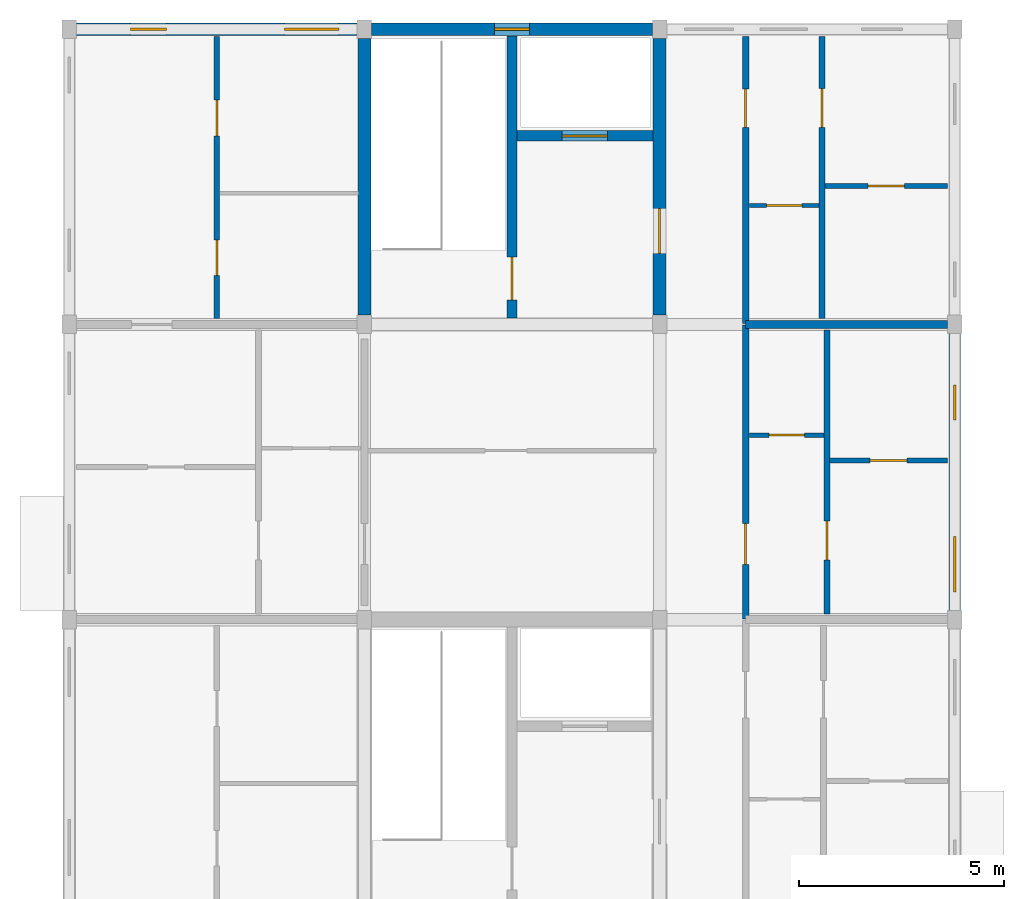
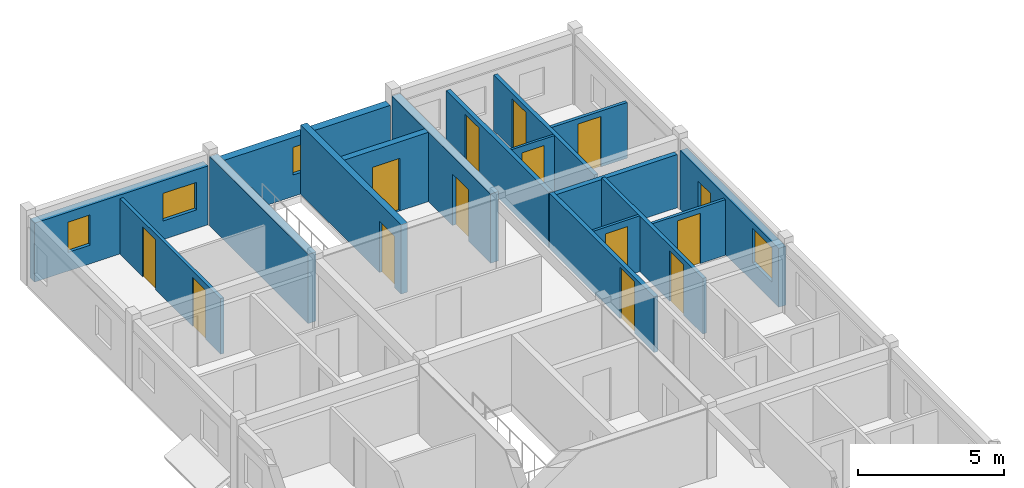
# One storey, part 4 of 6: 17 walls, 13 doors, 5 windows, 18 openings.
"""IFC4 building model written with IfcOpenShell, lengths in metres."""

from ifc_helpers import new_model, si_unit, direction, frame, frame_2d, origin, place, context, subcontext, project, spatial, rectangle, extrude, material, layer, layer_set, type_object, element, fill, save


model = new_model("IFC4")

# Units and contexts
model_context = context("Model", 3, precision=1e-05, world=origin(), true_north=direction((0.0, 1.0)))
body_context = subcontext(model_context, "Body", "Model", "MODEL_VIEW")
ifc_project = project(units=[si_unit("LENGTHUNIT", "METRE"), si_unit("AREAUNIT", "SQUARE_METRE"), si_unit("VOLUMEUNIT", "CUBIC_METRE"), si_unit("PLANEANGLEUNIT", "RADIAN"), si_unit("MASSUNIT", "GRAM", prefix="KILO"), si_unit("THERMODYNAMICTEMPERATUREUNIT", "KELVIN"), si_unit("POWERUNIT", "WATT")], contexts=[model_context])

# Site, building, storey
site_placement = place(None, origin())
site = spatial("IfcSite", under=ifc_project, at=site_placement, CompositionType="ELEMENT")
building_placement = place(site_placement, origin())
building = spatial("IfcBuilding", under=site, at=building_placement, Name="Tavuni Mirador Residences", CompositionType="ELEMENT")
storey_placement = place(building_placement, frame((0.0, 0.0, 48.60009765625)))
storey = spatial("IfcBuildingStorey", under=building, at=storey_placement, Name="L15", CompositionType="ELEMENT", Elevation=48.60009765625)

# Wall, opening, door
ifc_material_1 = material(Name="Precast concrete C40/50", Category="concrete")
ifc_layer_1 = layer(ifc_material_1, 0.25, Name="Precast concrete C40/50", Category="concrete")
ifc_layer_set_1 = layer_set([ifc_layer_1], Name="Precast concrete C40/50")
wall_type_1 = type_object("IfcWallType", Name="WT-COR250", PredefinedType="SHEAR", material=ifc_layer_set_1)
wall_1_placement = place(storey_placement, frame((14.39990234375, 28.9599609375, 0.0), z_axis=(0.0, 0.0, 1.0), x_axis=(0.0, 1.0, 0.0)))
wall_1 = element("IfcWall", 1, at=wall_1_placement, inside=storey, type_object=wall_type_1, Name="CWALL-C2-L15-MID", PredefinedType="SHEAR", context=body_context, shape_type="SweptSolid", body=[
    extrude(rectangle(XDim=6.880126953125, YDim=0.25, at=frame_2d((3.43994140625, 0.0))), origin(), (0.0, 0.0, 1.0), 2.889892578125),
])
opening_1_placement = place(wall_1_placement, frame((0.43994140625, 0.0, 0.0)))
opening_1 = element("IfcOpeningElement", 2, at=opening_1_placement, cuts=wall_1, Name="Opening D-01", PredefinedType="OPENING", context=body_context, shape_type="SweptSolid", body=[
    extrude(rectangle(XDim=1.050048828125, YDim=2.14990234375, at=frame_2d((0.52490234375, 1.074951171875))), frame((0.0, 0.135009765625, 0.0), z_axis=(0.0, -1.0, 0.0), x_axis=(1.0, 0.0, 0.0)), (0.0, 0.0, 1.0), 0.27001953125),
])
ifc_material_2 = material(Name="Solid core iroko timber", Category="wood")
door_type_1 = type_object("IfcDoorType", Name="DT-ST1050", OperationType="NOTDEFINED", PredefinedType="DOOR", material=ifc_material_2)
door_1_placement = place(opening_1_placement, origin())
door_1 = element("IfcDoor", 3, at=door_1_placement, inside=storey, type_object=door_type_1, Name="DR-2105", OperationType="SINGLE_SWING_LEFT", OverallHeight=2.14990234375, OverallWidth=1.050048828125, PredefinedType="DOOR", context=body_context, shape_type="SweptSolid", body=[
    extrude(rectangle(XDim=1.050048828125, YDim=2.14990234375, at=frame_2d((0.52490234375, 1.074951171875))), frame((0.0, 0.02490234375, 0.0), z_axis=(0.0, -1.0, 0.0), x_axis=(1.0, 0.0, 0.0)), (0.0, 0.0, 1.0), 0.050048828125),
])
fill(opening_1, door_1)

wall_2_placement = place(storey_placement, frame((14.52490234375, 33.39990234375, 0.0), z_axis=(0.0, 0.0, 1.0), x_axis=(1.0, 0.0, 0.0)))
wall_2 = element("IfcWall", 4, at=wall_2_placement, inside=storey, type_object=wall_type_1, Name="CWALL-C2-L15-SHF", PredefinedType="SHEAR", context=body_context, shape_type="SweptSolid", body=[
    extrude(rectangle(XDim=3.315185546875, YDim=0.25, at=frame_2d((1.65771484375, 0.0))), origin(), (0.0, 0.0, 1.0), 2.889892578125),
])
opening_2_placement = place(wall_2_placement, frame((1.10009765625, 0.0, 0.0)))
opening_2 = element("IfcOpeningElement", 5, at=opening_2_placement, cuts=wall_2, Name="Opening LD-01", PredefinedType="OPENING", context=body_context, shape_type="SweptSolid", body=[
    extrude(rectangle(XDim=1.10009765625, YDim=2.199951171875, at=frame_2d((0.550048828125, 1.10009765625))), frame((0.0, 0.135009765625, 0.0), z_axis=(0.0, -1.0, 0.0), x_axis=(1.0, 0.0, 0.0)), (0.0, 0.0, 1.0), 0.27001953125),
])
ifc_material_3 = material(Name="Structural steel S355", Category="steel")
door_type_2 = type_object("IfcDoorType", Name="DT-LD-FF", OperationType="SLIDING_TO_LEFT", PredefinedType="DOOR", material=ifc_material_3)
door_2_placement = place(opening_2_placement, origin())
door_2 = element("IfcDoor", 6, at=door_2_placement, inside=storey, type_object=door_type_2, Name="Lift landing door FL-A2 L15", OperationType="SLIDING_TO_LEFT", OverallHeight=2.199951171875, OverallWidth=1.10009765625, PredefinedType="DOOR", context=body_context, shape_type="SweptSolid", body=[
    extrude(rectangle(XDim=1.10009765625, YDim=2.199951171875, at=frame_2d((0.550048828125, 1.10009765625))), frame((0.0, 0.02490234375, 0.0), z_axis=(0.0, -1.0, 0.0), x_axis=(1.0, 0.0, 0.0)), (0.0, 0.0, 1.0), 0.050048828125),
])
fill(opening_2, door_2)

# Wall
ifc_layer_2 = layer(ifc_material_1, 0.320068359375, Name="Precast concrete C40/50", Category="concrete")
ifc_layer_set_2 = layer_set([ifc_layer_2], Name="Precast concrete C40/50")
wall_type_2 = type_object("IfcWallType", Name="WT-COR320", PredefinedType="SHEAR", material=ifc_layer_set_2)
wall_3_placement = place(storey_placement, frame((10.800048828125, 29.02490234375, 0.0), z_axis=(0.0, 0.0, 1.0), x_axis=(0.0, 1.0, 0.0)))
element("IfcWall", 7, at=wall_3_placement, inside=storey, type_object=wall_type_2, Name="CWALL-C2-L15-W", PredefinedType="SHEAR", context=body_context, shape_type="SweptSolid", body=[
    extrude(rectangle(XDim=6.75, YDim=0.320068359375, at=frame_2d((3.375, 0.0))), origin(), (0.0, 0.0, 1.0), 2.889892578125),
])

# Wall, opening, door
wall_4_placement = place(storey_placement, frame((18.0, 29.02490234375, 0.0), z_axis=(0.0, 0.0, 1.0), x_axis=(0.0, 1.0, 0.0)))
wall_4 = element("IfcWall", 8, at=wall_4_placement, inside=storey, type_object=wall_type_2, Name="CWALL-C2-L15-E", PredefinedType="SHEAR", context=body_context, shape_type="SweptSolid", body=[
    extrude(rectangle(XDim=6.75, YDim=0.320068359375, at=frame_2d((3.375, 0.0))), origin(), (0.0, 0.0, 1.0), 2.889892578125),
])
opening_3_placement = place(wall_4_placement, frame((1.5, 0.0, 0.0)))
opening_3 = element("IfcOpeningElement", 9, at=opening_3_placement, cuts=wall_4, Name="Opening D-02", PredefinedType="OPENING", context=body_context, shape_type="SweptSolid", body=[
    extrude(rectangle(XDim=1.10009765625, YDim=2.14990234375, at=frame_2d((0.550048828125, 1.074951171875))), frame((0.0, 0.169921875, 0.0), z_axis=(0.0, -1.0, 0.0), x_axis=(1.0, 0.0, 0.0)), (0.0, 0.0, 1.0), 0.340087890625),
])
door_type_3 = type_object("IfcDoorType", Name="DT-LOB1100", OperationType="NOTDEFINED", PredefinedType="DOOR", material=ifc_material_2)
door_3_placement = place(opening_3_placement, frame((1.10009765625, 0.0, 0.0), z_axis=(0.0, 0.0, 1.0), x_axis=(-1.0, 0.0, 0.0)))
door_3 = element("IfcDoor", 10, at=door_3_placement, inside=storey, type_object=door_type_3, Name="DR-2104", OperationType="SINGLE_SWING_LEFT", OverallHeight=2.14990234375, OverallWidth=1.10009765625, PredefinedType="DOOR", context=body_context, shape_type="SweptSolid", body=[
    extrude(rectangle(XDim=1.10009765625, YDim=2.14990234375, at=frame_2d((0.550048828125, 1.074951171875))), frame((0.0, 0.02490234375, 0.0), z_axis=(0.0, -1.0, 0.0), x_axis=(1.0, 0.0, 0.0)), (0.0, 0.0, 1.0), 0.050048828125),
])
fill(opening_3, door_3)

ifc_layer_3 = layer(ifc_material_1, 0.1650390625, Name="Precast concrete C40/50", Category="concrete")
ifc_layer_set_3 = layer_set([ifc_layer_3], Name="Precast concrete C40/50")
wall_type_3 = type_object("IfcWallType", Name="WT-CORR165", PredefinedType="PARTITIONING", material=ifc_layer_set_3)
wall_5_placement = place(storey_placement, frame((20.10009765625, 21.6201171875, 0.0), z_axis=(0.0, 0.0, 1.0), x_axis=(0.0, 1.0, 0.0)))
wall_5 = element("IfcWall", 11, at=wall_5_placement, inside=storey, type_object=wall_type_3, Name="CORW-BLK-A-L15-0-02", PredefinedType="PARTITIONING", context=body_context, shape_type="SweptSolid", body=[
    extrude(rectangle(XDim=7.159912109375, YDim=0.1650390625, at=frame_2d((3.580078125, 0.0))), origin(), (0.0, 0.0, 1.0), 2.324951171875),
])
opening_4_placement = place(wall_5_placement, frame((1.330078125, 0.0, 0.0)))
opening_4 = element("IfcOpeningElement", 12, at=opening_4_placement, cuts=wall_5, Name="Opening D-03", PredefinedType="OPENING", context=body_context, shape_type="SweptSolid", body=[
    extrude(rectangle(XDim=1.0, YDim=2.14990234375, at=frame_2d((0.5, 1.074951171875))), frame((0.0, 0.092529296875, 0.0), z_axis=(0.0, -1.0, 0.0), x_axis=(1.0, 0.0, 0.0)), (0.0, 0.0, 1.0), 0.18505859375),
])
door_type_4 = type_object("IfcDoorType", Name="DT-FD60-1000", OperationType="NOTDEFINED", PredefinedType="DOOR", material=ifc_material_2)
door_4_placement = place(opening_4_placement, origin())
door_4 = element("IfcDoor", 13, at=door_4_placement, inside=storey, type_object=door_type_4, Name="DR-2517", OperationType="SINGLE_SWING_RIGHT", OverallHeight=2.14990234375, OverallWidth=1.0, PredefinedType="DOOR", context=body_context, shape_type="SweptSolid", body=[
    extrude(rectangle(XDim=1.0, YDim=2.14990234375, at=frame_2d((0.5, 1.074951171875))), frame((0.0, 0.02490234375, 0.0), z_axis=(0.0, -1.0, 0.0), x_axis=(1.0, 0.0, 0.0)), (0.0, 0.0, 1.0), 0.050048828125),
])
fill(opening_4, door_4)

wall_6_placement = place(storey_placement, frame((20.10009765625, 28.820068359375, 0.0), z_axis=(0.0, 0.0, 1.0), x_axis=(0.0, 1.0, 0.0)))
wall_6 = element("IfcWall", 14, at=wall_6_placement, inside=storey, type_object=wall_type_3, Name="CORW-BLK-A-L15-0-03", PredefinedType="PARTITIONING", context=body_context, shape_type="SweptSolid", body=[
    extrude(rectangle(XDim=7.0048828125, YDim=0.1650390625, at=frame_2d((3.50244140625, 0.0))), origin(), (0.0, 0.0, 1.0), 2.324951171875),
])
opening_5_placement = place(wall_6_placement, frame((4.780029296875, 0.0, 0.0)))
opening_5 = element("IfcOpeningElement", 15, at=opening_5_placement, cuts=wall_6, Name="Opening D-19", PredefinedType="OPENING", context=body_context, shape_type="SweptSolid", body=[
    extrude(rectangle(XDim=0.93994140625, YDim=2.1201171875, at=frame_2d((0.469970703125, 1.06005859375))), frame((0.0, 0.092529296875, 0.0), z_axis=(0.0, -1.0, 0.0), x_axis=(1.0, 0.0, 0.0)), (0.0, 0.0, 1.0), 0.18505859375),
])
door_type_5 = type_object("IfcDoorType", Name="DT-FD60-940", OperationType="NOTDEFINED", PredefinedType="DOOR", material=ifc_material_2)
door_5_placement = place(opening_5_placement, origin())
door_5 = element("IfcDoor", 16, at=door_5_placement, inside=storey, type_object=door_type_5, Name="DR-2518", OperationType="SINGLE_SWING_LEFT", OverallHeight=2.1201171875, OverallWidth=0.93994140625, PredefinedType="DOOR", context=body_context, shape_type="SweptSolid", body=[
    extrude(rectangle(XDim=0.93994140625, YDim=2.1201171875, at=frame_2d((0.469970703125, 1.06005859375))), frame((0.0, 0.02490234375, 0.0), z_axis=(0.0, -1.0, 0.0), x_axis=(1.0, 0.0, 0.0)), (0.0, 0.0, 1.0), 0.050048828125),
])
fill(opening_5, door_5)

# Wall, openings, windows
ifc_material_4 = material(Name="Sgraffito lime-rendered precast concrete C40/50", Category="concrete")
ifc_layer_4 = layer(ifc_material_4, 0.2900390625, Name="Sgraffito lime-rendered precast concrete C40/50", Category="concrete")
ifc_layer_set_4 = layer_set([ifc_layer_4], Name="Sgraffito lime-rendered precast concrete C40/50")
wall_type_4 = type_object("IfcWallType", Name="WT-EXT-PC290", PredefinedType="SOLIDWALL", material=ifc_layer_set_4)
wall_7_placement = place(storey_placement, frame((25.199951171875, 21.824951171875, 0.0), z_axis=(0.0, 0.0, 1.0), x_axis=(0.0, 1.0, 0.0)))
wall_7 = element("IfcWall", 17, at=wall_7_placement, inside=storey, type_object=wall_type_4, Name="EW-BLK-A-L15-E02", PredefinedType="SOLIDWALL", context=body_context, shape_type="SweptSolid", body=[
    extrude(rectangle(XDim=6.75, YDim=0.2900390625, at=frame_2d((3.375, 0.0))), origin(), (0.0, 0.0, 1.0), 2.4599609375),
])
opening_6_placement = place(wall_7_placement, frame((0.449951171875, 0.0, 0.780029296875)))
opening_6 = element("IfcOpeningElement", 18, at=opening_6_placement, cuts=wall_7, Name="Opening WN-29", PredefinedType="OPENING", context=body_context, shape_type="SweptSolid", body=[
    extrude(rectangle(XDim=1.35009765625, YDim=1.43994140625, at=frame_2d((0.675048828125, 0.719970703125))), frame((0.0, 0.155029296875, 0.0), z_axis=(0.0, -1.0, 0.0), x_axis=(1.0, 0.0, 0.0)), (0.0, 0.0, 1.0), 0.31005859375),
])
opening_7_placement = place(wall_7_placement, frame((4.64990234375, 0.0, 0.780029296875)))
opening_7 = element("IfcOpeningElement", 19, at=opening_7_placement, cuts=wall_7, Name="Opening WN-01", PredefinedType="OPENING", context=body_context, shape_type="SweptSolid", body=[
    extrude(rectangle(XDim=0.85009765625, YDim=1.14990234375, at=frame_2d((0.425048828125, 0.574951171875))), frame((0.0, 0.155029296875, 0.0), z_axis=(0.0, -1.0, 0.0), x_axis=(1.0, 0.0, 0.0)), (0.0, 0.0, 1.0), 0.31005859375),
])
ifc_material_5 = material(Name="Laminated solar-control glass", Category="glass")
window_type_1 = type_object("IfcWindowType", Name="WNT-01", PartitioningType="SINGLE_PANEL", PredefinedType="WINDOW", material=ifc_material_5)
window_1_placement = place(opening_7_placement, origin())
window_1 = element("IfcWindow", 20, at=window_1_placement, inside=storey, type_object=window_type_1, Name="WIN-0524", OverallHeight=1.14990234375, OverallWidth=0.85009765625, PartitioningType="SINGLE_PANEL", PredefinedType="WINDOW", context=body_context, shape_type="SweptSolid", body=[
    extrude(rectangle(XDim=0.85009765625, YDim=1.14990234375, at=frame_2d((0.425048828125, 0.574951171875))), frame((0.0, 0.030029296875, 0.0), z_axis=(0.0, -1.0, 0.0), x_axis=(1.0, 0.0, 0.0)), (0.0, 0.0, 1.0), 0.06005859375),
])
fill(opening_7, window_1)
window_type_2 = type_object("IfcWindowType", Name="WNT-29", PartitioningType="SINGLE_PANEL", PredefinedType="WINDOW", material=ifc_material_5)
window_2_placement = place(opening_6_placement, origin())
window_2 = element("IfcWindow", 21, at=window_2_placement, inside=storey, type_object=window_type_2, Name="WIN-0523", OverallHeight=1.43994140625, OverallWidth=1.35009765625, PartitioningType="SINGLE_PANEL", PredefinedType="WINDOW", context=body_context, shape_type="SweptSolid", body=[
    extrude(rectangle(XDim=1.35009765625, YDim=1.43994140625, at=frame_2d((0.675048828125, 0.719970703125))), frame((0.0, 0.030029296875, 0.0), z_axis=(0.0, -1.0, 0.0), x_axis=(1.0, 0.0, 0.0)), (0.0, 0.0, 1.0), 0.06005859375),
])
fill(opening_6, window_2)

# Wall, opening, window
ifc_layer_5 = layer(ifc_material_4, 0.304931640625, Name="Sgraffito lime-rendered precast concrete C40/50", Category="concrete")
ifc_layer_set_5 = layer_set([ifc_layer_5], Name="Sgraffito lime-rendered precast concrete C40/50")
wall_type_5 = type_object("IfcWallType", Name="WT-EXT-PC305", PredefinedType="SOLIDWALL", material=ifc_layer_set_5)
wall_8_placement = place(storey_placement, frame((17.824951171875, 36.0, 0.0), z_axis=(0.0, 0.0, 1.0), x_axis=(-1.0, 0.0, 0.0)))
wall_8 = element("IfcWall", 22, at=wall_8_placement, inside=storey, type_object=wall_type_5, Name="EW-BLK-A-L15-N01", PredefinedType="SOLIDWALL", context=body_context, shape_type="SweptSolid", body=[
    extrude(rectangle(XDim=6.849853515625, YDim=0.304931640625, at=frame_2d((3.4248046875, 0.0))), origin(), (0.0, 0.0, 1.0), 2.4599609375),
])
opening_8_placement = place(wall_8_placement, frame((3.0, 0.0, 0.89990234375)))
opening_8 = element("IfcOpeningElement", 23, at=opening_8_placement, cuts=wall_8, Name="Opening WN-01", PredefinedType="OPENING", context=body_context, shape_type="SweptSolid", body=[
    extrude(rectangle(XDim=0.85009765625, YDim=1.14990234375, at=frame_2d((0.425048828125, 0.574951171875))), frame((0.0, 0.16259765625, 0.0), z_axis=(0.0, -1.0, 0.0), x_axis=(1.0, 0.0, 0.0)), (0.0, 0.0, 1.0), 0.324951171875),
])
window_3_placement = place(opening_8_placement, origin())
window_3 = element("IfcWindow", 24, at=window_3_placement, inside=storey, type_object=window_type_1, Name="WIN-0530", OverallHeight=1.14990234375, OverallWidth=0.85009765625, PartitioningType="SINGLE_PANEL", PredefinedType="WINDOW", context=body_context, shape_type="SweptSolid", body=[
    extrude(rectangle(XDim=0.85009765625, YDim=1.14990234375, at=frame_2d((0.425048828125, 0.574951171875))), frame((0.0, 0.030029296875, 0.0), z_axis=(0.0, -1.0, 0.0), x_axis=(1.0, 0.0, 0.0)), (0.0, 0.0, 1.0), 0.06005859375),
])
fill(opening_8, window_3)

# Wall, openings, windows
ifc_layer_6 = layer(ifc_material_4, 0.31494140625, Name="Sgraffito lime-rendered precast concrete C40/50", Category="concrete")
ifc_layer_set_6 = layer_set([ifc_layer_6], Name="Sgraffito lime-rendered precast concrete C40/50")
wall_type_6 = type_object("IfcWallType", Name="WT-EXT-PC315", PredefinedType="SOLIDWALL", material=ifc_layer_set_6)
wall_9_placement = place(storey_placement, frame((10.625, 36.0, 0.0), z_axis=(0.0, 0.0, 1.0), x_axis=(-1.0, 0.0, 0.0)))
wall_9 = element("IfcWall", 25, at=wall_9_placement, inside=storey, type_object=wall_type_6, Name="EW-BLK-A-L15-N00", PredefinedType="SOLIDWALL", context=body_context, shape_type="SweptSolid", body=[
    extrude(rectangle(XDim=6.85009765625, YDim=0.31494140625, at=frame_2d((3.425048828125, 0.0))), origin(), (0.0, 0.0, 1.0), 2.4599609375),
])
opening_9_placement = place(wall_9_placement, frame((0.449951171875, 0.0, 0.780029296875)))
opening_9 = element("IfcOpeningElement", 26, at=opening_9_placement, cuts=wall_9, Name="Opening WN-07", PredefinedType="OPENING", context=body_context, shape_type="SweptSolid", body=[
    extrude(rectangle(XDim=1.320068359375, YDim=1.14990234375, at=frame_2d((0.66015625, 0.574951171875))), frame((0.0, 0.16748046875, 0.0), z_axis=(0.0, -1.0, 0.0), x_axis=(1.0, 0.0, 0.0)), (0.0, 0.0, 1.0), 0.3349609375),
])
opening_10_placement = place(wall_9_placement, frame((4.64990234375, 0.0, 0.780029296875)))
opening_10 = element("IfcOpeningElement", 27, at=opening_10_placement, cuts=wall_9, Name="Opening WN-09", PredefinedType="OPENING", context=body_context, shape_type="SweptSolid", body=[
    extrude(rectangle(XDim=0.8798828125, YDim=1.260009765625, at=frame_2d((0.43994140625, 0.6298828125))), frame((0.0, 0.16748046875, 0.0), z_axis=(0.0, -1.0, 0.0), x_axis=(1.0, 0.0, 0.0)), (0.0, 0.0, 1.0), 0.3349609375),
])
window_type_3 = type_object("IfcWindowType", Name="WNT-07", PartitioningType="SINGLE_PANEL", PredefinedType="WINDOW", material=ifc_material_5)
window_4_placement = place(opening_9_placement, origin())
window_4 = element("IfcWindow", 28, at=window_4_placement, inside=storey, type_object=window_type_3, Name="WIN-0531", OverallHeight=1.14990234375, OverallWidth=1.320068359375, PartitioningType="SINGLE_PANEL", PredefinedType="WINDOW", context=body_context, shape_type="SweptSolid", body=[
    extrude(rectangle(XDim=1.320068359375, YDim=1.14990234375, at=frame_2d((0.66015625, 0.574951171875))), frame((0.0, 0.030029296875, 0.0), z_axis=(0.0, -1.0, 0.0), x_axis=(1.0, 0.0, 0.0)), (0.0, 0.0, 1.0), 0.06005859375),
])
fill(opening_9, window_4)
window_type_4 = type_object("IfcWindowType", Name="WNT-09", PartitioningType="SINGLE_PANEL", PredefinedType="WINDOW", material=ifc_material_5)
window_5_placement = place(opening_10_placement, origin())
window_5 = element("IfcWindow", 29, at=window_5_placement, inside=storey, type_object=window_type_4, Name="WIN-0532", OverallHeight=1.260009765625, OverallWidth=0.8798828125, PartitioningType="SINGLE_PANEL", PredefinedType="WINDOW", context=body_context, shape_type="SweptSolid", body=[
    extrude(rectangle(XDim=0.8798828125, YDim=1.260009765625, at=frame_2d((0.43994140625, 0.6298828125))), frame((0.0, 0.030029296875, 0.0), z_axis=(0.0, -1.0, 0.0), x_axis=(1.0, 0.0, 0.0)), (0.0, 0.0, 1.0), 0.06005859375),
])
fill(opening_10, window_5)

# Wall, opening, door
ifc_material_6 = material(Name="Acoustic gypsum and concrete block partition", Category="concrete")
ifc_layer_7 = layer(ifc_material_6, 0.094970703125, Name="Acoustic gypsum and concrete block partition", Category="concrete")
ifc_layer_set_7 = layer_set([ifc_layer_7], Name="Acoustic gypsum and concrete block partition")
wall_type_7 = type_object("IfcWallType", Name="WT-PART095", PredefinedType="PARTITIONING", material=ifc_layer_set_7)
wall_10_placement = place(storey_placement, frame((20.18994140625, 31.699951171875, 0.0), z_axis=(0.0, 0.0, 1.0), x_axis=(1.0, 0.0, 0.0)))
wall_10 = element("IfcWall", 30, at=wall_10_placement, inside=storey, type_object=wall_type_7, Name="PW-BLK-A-L15-E03-IN1", PredefinedType="PARTITIONING", context=body_context, shape_type="SweptSolid", body=[
    extrude(rectangle(XDim=1.699951171875, YDim=0.094970703125, at=frame_2d((0.85009765625, 0.0))), origin(), (0.0, 0.0, 1.0), 2.324951171875),
])
opening_11_placement = place(wall_10_placement, frame((0.4150390625, 0.0, 0.0)))
opening_11 = element("IfcOpeningElement", 31, at=opening_11_placement, cuts=wall_10, Name="Opening D-10", PredefinedType="OPENING", context=body_context, shape_type="SweptSolid", body=[
    extrude(rectangle(XDim=0.8701171875, YDim=2.050048828125, at=frame_2d((0.43505859375, 1.02490234375))), frame((0.0, 0.0576171875, 0.0), z_axis=(0.0, -1.0, 0.0), x_axis=(1.0, 0.0, 0.0)), (0.0, 0.0, 1.0), 0.114990234375),
])
door_type_6 = type_object("IfcDoorType", Name="DT-WC870", OperationType="NOTDEFINED", PredefinedType="DOOR", material=ifc_material_2)
door_6_placement = place(opening_11_placement, origin())
door_6 = element("IfcDoor", 32, at=door_6_placement, inside=storey, type_object=door_type_6, Name="DR-3422", OperationType="SINGLE_SWING_RIGHT", OverallHeight=2.050048828125, OverallWidth=0.8701171875, PredefinedType="DOOR", context=body_context, shape_type="SweptSolid", body=[
    extrude(rectangle(XDim=0.8701171875, YDim=2.050048828125, at=frame_2d((0.43505859375, 1.02490234375))), frame((0.0, 0.02490234375, 0.0), z_axis=(0.0, -1.0, 0.0), x_axis=(1.0, 0.0, 0.0)), (0.0, 0.0, 1.0), 0.050048828125),
])
fill(opening_11, door_6)

ifc_layer_8 = layer(ifc_material_6, 0.10498046875, Name="Acoustic gypsum and concrete block partition", Category="concrete")
ifc_layer_set_8 = layer_set([ifc_layer_8], Name="Acoustic gypsum and concrete block partition")
wall_type_8 = type_object("IfcWallType", Name="WT-PART105", PredefinedType="PARTITIONING", material=ifc_layer_set_8)
wall_11_placement = place(storey_placement, frame((20.18994140625, 26.10009765625, 0.0), z_axis=(0.0, 0.0, 1.0), x_axis=(1.0, 0.0, 0.0)))
wall_11 = element("IfcWall", 33, at=wall_11_placement, inside=storey, type_object=wall_type_8, Name="PW-BLK-A-L15-E02-IN1", PredefinedType="PARTITIONING", context=body_context, shape_type="SweptSolid", body=[
    extrude(rectangle(XDim=1.820068359375, YDim=0.10498046875, at=frame_2d((0.91015625, 0.0))), origin(), (0.0, 0.0, 1.0), 2.324951171875),
])
opening_12_placement = place(wall_11_placement, frame((0.47509765625, 0.0, 0.0)))
opening_12 = element("IfcOpeningElement", 34, at=opening_12_placement, cuts=wall_11, Name="Opening D-10", PredefinedType="OPENING", context=body_context, shape_type="SweptSolid", body=[
    extrude(rectangle(XDim=0.8701171875, YDim=2.050048828125, at=frame_2d((0.43505859375, 1.02490234375))), frame((0.0, 0.0625, 0.0), z_axis=(0.0, -1.0, 0.0), x_axis=(1.0, 0.0, 0.0)), (0.0, 0.0, 1.0), 0.125),
])
door_7_placement = place(opening_12_placement, origin())
door_7 = element("IfcDoor", 35, at=door_7_placement, inside=storey, type_object=door_type_6, Name="DR-3417", OperationType="SINGLE_SWING_RIGHT", OverallHeight=2.050048828125, OverallWidth=0.8701171875, PredefinedType="DOOR", context=body_context, shape_type="SweptSolid", body=[
    extrude(rectangle(XDim=0.8701171875, YDim=2.050048828125, at=frame_2d((0.43505859375, 1.02490234375))), frame((0.0, 0.02490234375, 0.0), z_axis=(0.0, -1.0, 0.0), x_axis=(1.0, 0.0, 0.0)), (0.0, 0.0, 1.0), 0.050048828125),
])
fill(opening_12, door_7)

ifc_layer_9 = layer(ifc_material_6, 0.114990234375, Name="Acoustic gypsum and concrete block partition", Category="concrete")
ifc_layer_set_9 = layer_set([ifc_layer_9], Name="Acoustic gypsum and concrete block partition")
wall_type_9 = type_object("IfcWallType", Name="WT-PART115", PredefinedType="PARTITIONING", material=ifc_layer_set_9)
wall_12_placement = place(storey_placement, frame((22.14990234375, 25.47998046875, 0.0), z_axis=(0.0, 0.0, 1.0), x_axis=(1.0, 0.0, 0.0)))
wall_12 = element("IfcWall", 36, at=wall_12_placement, inside=storey, type_object=wall_type_9, Name="PW-BLK-A-L15-E02-OUT", PredefinedType="PARTITIONING", context=body_context, shape_type="SweptSolid", body=[
    extrude(rectangle(XDim=2.875, YDim=0.114990234375, at=frame_2d((1.4375, 0.0))), origin(), (0.0, 0.0, 1.0), 2.324951171875),
])
opening_13_placement = place(wall_12_placement, frame((0.987548828125, 0.0, 0.0)))
opening_13 = element("IfcOpeningElement", 37, at=opening_13_placement, cuts=wall_12, Name="Opening D-07", PredefinedType="OPENING", context=body_context, shape_type="SweptSolid", body=[
    extrude(rectangle(XDim=0.89990234375, YDim=2.10009765625, at=frame_2d((0.449951171875, 1.050048828125))), frame((0.0, 0.0673828125, 0.0), z_axis=(0.0, -1.0, 0.0), x_axis=(1.0, 0.0, 0.0)), (0.0, 0.0, 1.0), 0.135009765625),
])
door_type_7 = type_object("IfcDoorType", Name="DT-BED900", OperationType="NOTDEFINED", PredefinedType="DOOR", material=ifc_material_2)
door_8_placement = place(opening_13_placement, origin())
door_8 = element("IfcDoor", 38, at=door_8_placement, inside=storey, type_object=door_type_7, Name="DR-3416", OperationType="SINGLE_SWING_LEFT", OverallHeight=2.10009765625, OverallWidth=0.89990234375, PredefinedType="DOOR", context=body_context, shape_type="SweptSolid", body=[
    extrude(rectangle(XDim=0.89990234375, YDim=2.10009765625, at=frame_2d((0.449951171875, 1.050048828125))), frame((0.0, 0.02490234375, 0.0), z_axis=(0.0, -1.0, 0.0), x_axis=(1.0, 0.0, 0.0)), (0.0, 0.0, 1.0), 0.050048828125),
])
fill(opening_13, door_8)

# Wall, openings, doors
ifc_layer_10 = layer(ifc_material_6, 0.125, Name="Acoustic gypsum and concrete block partition", Category="concrete")
ifc_layer_set_10 = layer_set([ifc_layer_10], Name="Acoustic gypsum and concrete block partition")
wall_type_10 = type_object("IfcWallType", Name="WT-PART125", PredefinedType="PARTITIONING", material=ifc_layer_set_10)
wall_13_placement = place(storey_placement, frame((7.199951171875, 28.93994140625, 0.0), z_axis=(0.0, 0.0, 1.0), x_axis=(0.0, 1.0, 0.0)))
wall_13 = element("IfcWall", 39, at=wall_13_placement, inside=storey, type_object=wall_type_10, Name="PW-BLK-A-L15-WC03-M", PredefinedType="PARTITIONING", context=body_context, shape_type="SweptSolid", body=[
    extrude(rectangle(XDim=6.885009765625, YDim=0.125, at=frame_2d((3.4423828125, 0.0))), origin(), (0.0, 0.0, 1.0), 2.324951171875),
])
opening_14_placement = place(wall_13_placement, frame((1.050048828125, 0.0, 0.0)))
opening_14 = element("IfcOpeningElement", 40, at=opening_14_placement, cuts=wall_13, Name="Opening D-10", PredefinedType="OPENING", context=body_context, shape_type="SweptSolid", body=[
    extrude(rectangle(XDim=0.8701171875, YDim=2.050048828125, at=frame_2d((0.43505859375, 1.02490234375))), frame((0.0, 0.072509765625, 0.0), z_axis=(0.0, -1.0, 0.0), x_axis=(1.0, 0.0, 0.0)), (0.0, 0.0, 1.0), 0.14501953125),
])
opening_15_placement = place(wall_13_placement, frame((4.449951171875, 0.0, 0.0)))
opening_15 = element("IfcOpeningElement", 41, at=opening_15_placement, cuts=wall_13, Name="Opening D-08", PredefinedType="OPENING", context=body_context, shape_type="SweptSolid", body=[
    extrude(rectangle(XDim=0.8798828125, YDim=2.080078125, at=frame_2d((0.43994140625, 1.0400390625))), frame((0.0, 0.072509765625, 0.0), z_axis=(0.0, -1.0, 0.0), x_axis=(1.0, 0.0, 0.0)), (0.0, 0.0, 1.0), 0.14501953125),
])
door_type_8 = type_object("IfcDoorType", Name="DT-BED880", OperationType="NOTDEFINED", PredefinedType="DOOR", material=ifc_material_2)
door_9_placement = place(opening_15_placement, origin())
door_9 = element("IfcDoor", 42, at=door_9_placement, inside=storey, type_object=door_type_8, Name="DR-3420", OperationType="SINGLE_SWING_LEFT", OverallHeight=2.080078125, OverallWidth=0.8798828125, PredefinedType="DOOR", context=body_context, shape_type="SweptSolid", body=[
    extrude(rectangle(XDim=0.8798828125, YDim=2.080078125, at=frame_2d((0.43994140625, 1.0400390625))), frame((0.0, 0.02490234375, 0.0), z_axis=(0.0, -1.0, 0.0), x_axis=(1.0, 0.0, 0.0)), (0.0, 0.0, 1.0), 0.050048828125),
])
fill(opening_15, door_9)
door_10_placement = place(opening_14_placement, origin())
door_10 = element("IfcDoor", 43, at=door_10_placement, inside=storey, type_object=door_type_6, Name="DR-3419", OperationType="SINGLE_SWING_RIGHT", OverallHeight=2.050048828125, OverallWidth=0.8701171875, PredefinedType="DOOR", context=body_context, shape_type="SweptSolid", body=[
    extrude(rectangle(XDim=0.8701171875, YDim=2.050048828125, at=frame_2d((0.43505859375, 1.02490234375))), frame((0.0, 0.02490234375, 0.0), z_axis=(0.0, -1.0, 0.0), x_axis=(1.0, 0.0, 0.0)), (0.0, 0.0, 1.0), 0.050048828125),
])
fill(opening_14, door_10)

# Wall, opening, door
wall_14_placement = place(storey_placement, frame((22.030029296875, 32.179931640625, 0.0), z_axis=(0.0, 0.0, 1.0), x_axis=(1.0, 0.0, 0.0)))
wall_14 = element("IfcWall", 44, at=wall_14_placement, inside=storey, type_object=wall_type_10, Name="PW-BLK-A-L15-E03-OUT", PredefinedType="PARTITIONING", context=body_context, shape_type="SweptSolid", body=[
    extrude(rectangle(XDim=2.994873046875, YDim=0.125, at=frame_2d((1.49755859375, 0.0))), origin(), (0.0, 0.0, 1.0), 2.324951171875),
])
opening_16_placement = place(wall_14_placement, frame((1.047607421875, 0.0, 0.0)))
opening_16 = element("IfcOpeningElement", 45, at=opening_16_placement, cuts=wall_14, Name="Opening D-07", PredefinedType="OPENING", context=body_context, shape_type="SweptSolid", body=[
    extrude(rectangle(XDim=0.89990234375, YDim=2.10009765625, at=frame_2d((0.449951171875, 1.050048828125))), frame((0.0, 0.072509765625, 0.0), z_axis=(0.0, -1.0, 0.0), x_axis=(1.0, 0.0, 0.0)), (0.0, 0.0, 1.0), 0.14501953125),
])
door_11_placement = place(opening_16_placement, origin())
door_11 = element("IfcDoor", 46, at=door_11_placement, inside=storey, type_object=door_type_7, Name="DR-3421", OperationType="SINGLE_SWING_LEFT", OverallHeight=2.10009765625, OverallWidth=0.89990234375, PredefinedType="DOOR", context=body_context, shape_type="SweptSolid", body=[
    extrude(rectangle(XDim=0.89990234375, YDim=2.10009765625, at=frame_2d((0.449951171875, 1.050048828125))), frame((0.0, 0.02490234375, 0.0), z_axis=(0.0, -1.0, 0.0), x_axis=(1.0, 0.0, 0.0)), (0.0, 0.0, 1.0), 0.050048828125),
])
fill(opening_16, door_11)

ifc_layer_11 = layer(ifc_material_6, 0.139892578125, Name="Acoustic gypsum and concrete block partition", Category="concrete")
ifc_layer_set_11 = layer_set([ifc_layer_11], Name="Acoustic gypsum and concrete block partition")
wall_type_11 = type_object("IfcWallType", Name="WT-PART140", PredefinedType="PARTITIONING", material=ifc_layer_set_11)
wall_15_placement = place(storey_placement, frame((22.080078125, 21.739990234375, 0.0), z_axis=(0.0, 0.0, 1.0), x_axis=(0.0, 1.0, 0.0)))
wall_15 = element("IfcWall", 47, at=wall_15_placement, inside=storey, type_object=wall_type_11, Name="PW-BLK-A-L15-E02-MID", PredefinedType="PARTITIONING", context=body_context, shape_type="SweptSolid", body=[
    extrude(rectangle(XDim=6.919921875, YDim=0.139892578125, at=frame_2d((3.4599609375, 0.0))), origin(), (0.0, 0.0, 1.0), 2.324951171875),
])
opening_17_placement = place(wall_15_placement, frame((1.31005859375, 0.0, 0.0)))
opening_17 = element("IfcOpeningElement", 48, at=opening_17_placement, cuts=wall_15, Name="Opening D-05", PredefinedType="OPENING", context=body_context, shape_type="SweptSolid", body=[
    extrude(rectangle(XDim=0.949951171875, YDim=2.10009765625, at=frame_2d((0.47509765625, 1.050048828125))), frame((0.0, 0.080078125, 0.0), z_axis=(0.0, -1.0, 0.0), x_axis=(1.0, 0.0, 0.0)), (0.0, 0.0, 1.0), 0.159912109375),
])
door_type_9 = type_object("IfcDoorType", Name="DT-INT950", OperationType="NOTDEFINED", PredefinedType="DOOR", material=ifc_material_2)
door_12_placement = place(opening_17_placement, origin())
door_12 = element("IfcDoor", 49, at=door_12_placement, inside=storey, type_object=door_type_9, Name="DR-3418", OperationType="SINGLE_SWING_LEFT", OverallHeight=2.10009765625, OverallWidth=0.949951171875, PredefinedType="DOOR", context=body_context, shape_type="SweptSolid", body=[
    extrude(rectangle(XDim=0.949951171875, YDim=2.10009765625, at=frame_2d((0.47509765625, 1.050048828125))), frame((0.0, 0.02490234375, 0.0), z_axis=(0.0, -1.0, 0.0), x_axis=(1.0, 0.0, 0.0)), (0.0, 0.0, 1.0), 0.050048828125),
])
fill(opening_17, door_12)

ifc_layer_12 = layer(ifc_material_6, 0.14990234375, Name="Acoustic gypsum and concrete block partition", Category="concrete")
ifc_layer_set_12 = layer_set([ifc_layer_12], Name="Acoustic gypsum and concrete block partition")
wall_type_12 = type_object("IfcWallType", Name="WT-PART150", PredefinedType="PARTITIONING", material=ifc_layer_set_12)
wall_16_placement = place(storey_placement, frame((21.9599609375, 28.93994140625, 0.0), z_axis=(0.0, 0.0, 1.0), x_axis=(0.0, 1.0, 0.0)))
wall_16 = element("IfcWall", 50, at=wall_16_placement, inside=storey, type_object=wall_type_12, Name="PW-BLK-A-L15-E03-MID", PredefinedType="PARTITIONING", context=body_context, shape_type="SweptSolid", body=[
    extrude(rectangle(XDim=6.885009765625, YDim=0.14990234375, at=frame_2d((3.4423828125, 0.0))), origin(), (0.0, 0.0, 1.0), 2.324951171875),
])
opening_18_placement = place(wall_16_placement, frame((4.659912109375, 0.0, 0.0)))
opening_18 = element("IfcOpeningElement", 51, at=opening_18_placement, cuts=wall_16, Name="Opening D-05", PredefinedType="OPENING", context=body_context, shape_type="SweptSolid", body=[
    extrude(rectangle(XDim=0.949951171875, YDim=2.10009765625, at=frame_2d((0.47509765625, 1.050048828125))), frame((0.0, 0.0849609375, 0.0), z_axis=(0.0, -1.0, 0.0), x_axis=(1.0, 0.0, 0.0)), (0.0, 0.0, 1.0), 0.169921875),
])
door_13_placement = place(opening_18_placement, origin())
door_13 = element("IfcDoor", 52, at=door_13_placement, inside=storey, type_object=door_type_9, Name="DR-3423", OperationType="SINGLE_SWING_LEFT", OverallHeight=2.10009765625, OverallWidth=0.949951171875, PredefinedType="DOOR", context=body_context, shape_type="SweptSolid", body=[
    extrude(rectangle(XDim=0.949951171875, YDim=2.10009765625, at=frame_2d((0.47509765625, 1.050048828125))), frame((0.0, 0.02490234375, 0.0), z_axis=(0.0, -1.0, 0.0), x_axis=(1.0, 0.0, 0.0)), (0.0, 0.0, 1.0), 0.050048828125),
])
fill(opening_18, door_13)

# Wall
ifc_layer_13 = layer(ifc_material_1, 0.195068359375, Name="Precast concrete C40/50", Category="concrete")
ifc_layer_set_13 = layer_set([ifc_layer_13], Name="Precast concrete C40/50")
wall_type_13 = type_object("IfcWallType", Name="WT-XW195", PredefinedType="SOLIDWALL", material=ifc_layer_set_13)
wall_17_placement = place(storey_placement, frame((20.10009765625, 28.800048828125, 0.0), z_axis=(0.0, 0.0, 1.0), x_axis=(1.0, 0.0, 0.0)))
element("IfcWall", 53, at=wall_17_placement, inside=storey, type_object=wall_type_13, Name="XW-BLK-A-L15-E-03", PredefinedType="SOLIDWALL", context=body_context, shape_type="SweptSolid", body=[
    extrude(rectangle(XDim=4.9248046875, YDim=0.195068359375, at=frame_2d((2.46240234375, 0.0))), origin(), (0.0, 0.0, 1.0), 2.219970703125),
])

save(model, "model.ifc")
